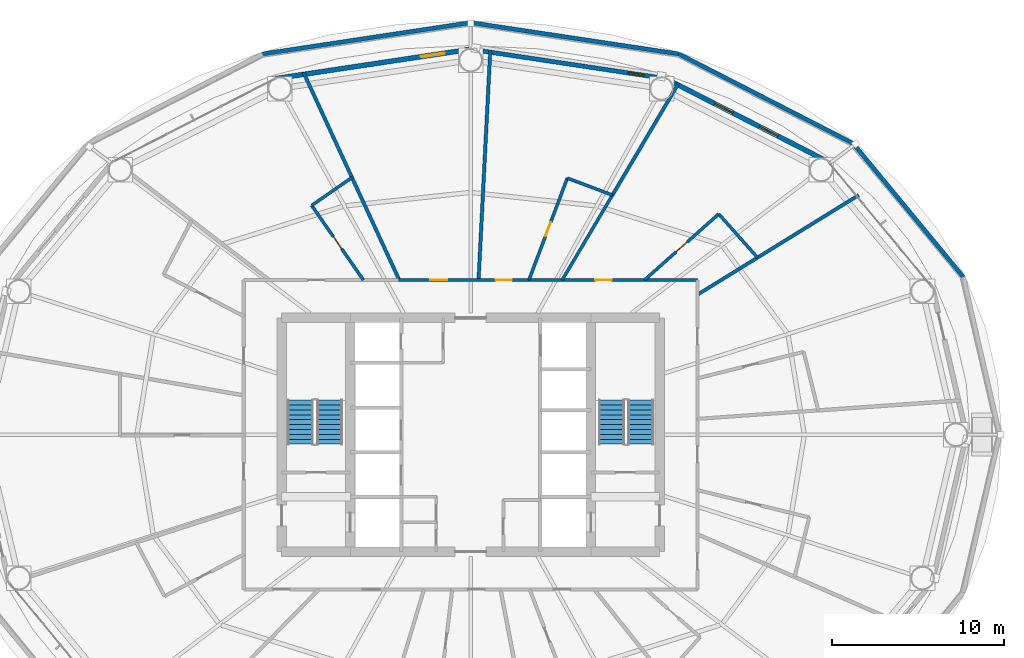
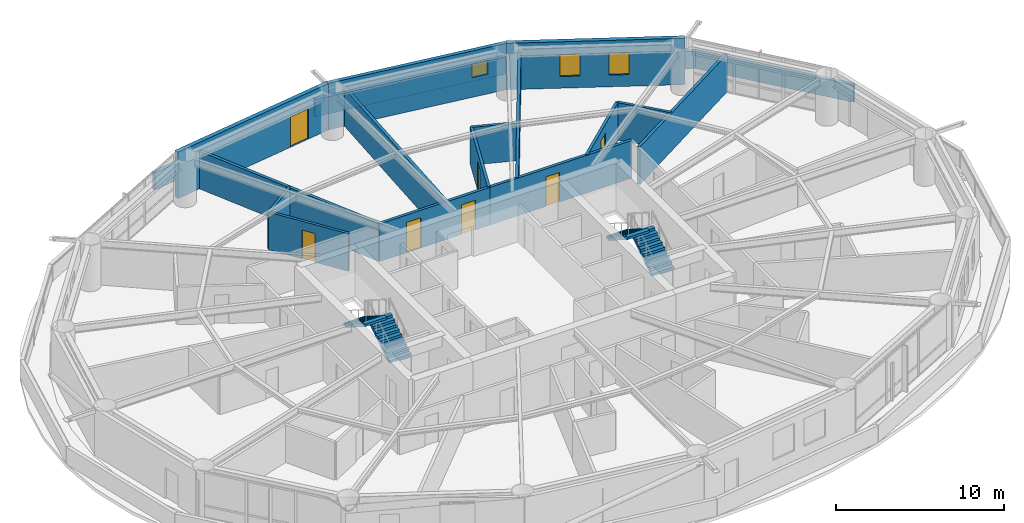
# One storey, part 22 of 25: 20 walls, 7 doors, 4 stair flights, 3 windows, 10 openings, 2 elements without a shape of their own.
"""IFC4 building model written with IfcOpenShell, lengths in metres."""

from ifc_helpers import new_model, si_unit, direction, frame, frame_2d, origin, place, context, subcontext, project, spatial, polyline, rectangle, outline, extrude, material, layer, layer_set, type_object, element, fill, aggregate, save


model = new_model("IFC4")

# Units and contexts
model_context = context("Model", 3, precision=1e-05, world=origin(), true_north=direction((0.0, 1.0)))
body_context = subcontext(model_context, "Body", "Model", "MODEL_VIEW")
ifc_project = project(units=[si_unit("LENGTHUNIT", "METRE"), si_unit("AREAUNIT", "SQUARE_METRE"), si_unit("VOLUMEUNIT", "CUBIC_METRE"), si_unit("PLANEANGLEUNIT", "RADIAN"), si_unit("MASSUNIT", "GRAM", prefix="KILO")], contexts=[model_context])

# Site, building, storey
site_placement = place(None, origin())
site = spatial("IfcSite", under=ifc_project, at=site_placement, CompositionType="ELEMENT")
building_placement = place(site_placement, origin())
building = spatial("IfcBuilding", under=site, at=building_placement, Name="Sarneth Arch Tower", CompositionType="ELEMENT")
storey_placement = place(building_placement, frame((0.0, 0.0, 84.0)))
storey = spatial("IfcBuildingStorey", under=building, at=storey_placement, Name="L20", CompositionType="ELEMENT", Elevation=84.0)

# Wall, opening, door
ifc_material_1 = material(Name="Double steel-stud corridor fire wall", Category="steel")
ifc_layer_1 = layer(ifc_material_1, 0.18994140625)
ifc_layer_set_1 = layer_set([ifc_layer_1], Name="Double steel-stud corridor fire wall")
wall_type_1 = type_object("IfcWallType", Name="WALL-CORR-190", PredefinedType="PARTITIONING", material=ifc_layer_set_1)
wall_1_placement = place(storey_placement, frame((51.35693359375, 51.0, 0.0), z_axis=(0.0, 0.0, 1.0), x_axis=(1.0, 0.0, 0.0)))
wall_1 = element("IfcWall", 1, at=wall_1_placement, inside=storey, type_object=wall_type_1, Name="L20 Interior partition W-L20-TP-003", PredefinedType="PARTITIONING", context=body_context, shape_type="SweptSolid", body=[
    extrude(rectangle(XDim=9.843017578125, YDim=0.18994140625, at=frame_2d((4.92138671875, 0.0))), origin(), (0.0, 0.0, 1.0), 2.739990234375),
])
opening_1_placement = place(wall_1_placement, frame((3.893798828125, 0.0, 0.0)))
opening_1 = element("IfcOpeningElement", 2, at=opening_1_placement, cuts=wall_1, Name="Opening FD-09", PredefinedType="OPENING", context=body_context, shape_type="SweptSolid", body=[
    extrude(rectangle(XDim=0.949951171875, YDim=2.14990234375, at=frame_2d((0.47509765625, 1.074951171875))), frame((0.0, 0.10498046875, 0.0), z_axis=(0.0, -1.0, 0.0), x_axis=(1.0, 0.0, 0.0)), (0.0, 0.0, 1.0), 0.2099609375),
])
ifc_material_2 = material(Name="Hardwood timber hotel entrance fire door", Category="wood")
door_type_1 = type_object("IfcDoorType", Name="DR-FD60-950", OperationType="SINGLE_SWING_RIGHT", PredefinedType="DOOR", material=ifc_material_2)
door_1_placement = place(opening_1_placement, origin())
door_1 = element("IfcDoor", 3, at=door_1_placement, inside=storey, type_object=door_type_1, Name="L20 Interior door DR-L20-KEY-02", OperationType="SINGLE_SWING_LEFT", OverallHeight=2.14990234375, OverallWidth=0.949951171875, PredefinedType="DOOR", context=body_context, shape_type="SweptSolid", body=[
    extrude(rectangle(XDim=0.949951171875, YDim=2.14990234375, at=frame_2d((0.47509765625, 1.074951171875))), frame((0.0, 0.02490234375, 0.0), z_axis=(0.0, -1.0, 0.0), x_axis=(1.0, 0.0, 0.0)), (0.0, 0.0, 1.0), 0.050048828125),
])
fill(opening_1, door_1)

# Wall, openings, doors
wall_2_placement = place(storey_placement, frame((43.81201171875, 51.0, 0.0), z_axis=(0.0, 0.0, 1.0), x_axis=(1.0, 0.0, 0.0)))
wall_2 = element("IfcWall", 4, at=wall_2_placement, inside=storey, type_object=wall_type_1, Name="L20 Interior partition W-L20-TP-008", PredefinedType="PARTITIONING", context=body_context, shape_type="SweptSolid", body=[
    extrude(rectangle(XDim=7.61328125, YDim=0.18994140625, at=frame_2d((3.806640625, 0.0))), origin(), (0.0, 0.0, 1.0), 2.739990234375),
])
opening_2_placement = place(wall_2_placement, frame((1.839599609375, 0.0, 0.0)))
opening_2 = element("IfcOpeningElement", 5, at=opening_2_placement, cuts=wall_2, Name="Opening FD-08", PredefinedType="OPENING", context=body_context, shape_type="SweptSolid", body=[
    extrude(rectangle(XDim=1.0, YDim=2.199951171875, at=frame_2d((0.5, 1.10009765625))), frame((0.0, 0.10498046875, 0.0), z_axis=(0.0, -1.0, 0.0), x_axis=(1.0, 0.0, 0.0)), (0.0, 0.0, 1.0), 0.2099609375),
])
opening_3_placement = place(wall_2_placement, frame((5.639404296875, 0.0, 0.0)))
opening_3 = element("IfcOpeningElement", 6, at=opening_3_placement, cuts=wall_2, Name="Opening FD-09", PredefinedType="OPENING", context=body_context, shape_type="SweptSolid", body=[
    extrude(rectangle(XDim=0.949951171875, YDim=2.14990234375, at=frame_2d((0.47509765625, 1.074951171875))), frame((0.0, 0.10498046875, 0.0), z_axis=(0.0, -1.0, 0.0), x_axis=(1.0, 0.0, 0.0)), (0.0, 0.0, 1.0), 0.2099609375),
])
ifc_material_3 = material(Name="Hardwood timber acoustic fire door", Category="wood")
door_type_2 = type_object("IfcDoorType", Name="DR-FD60-1000", OperationType="SINGLE_SWING_LEFT", PredefinedType="DOOR", material=ifc_material_3)
door_2_placement = place(opening_2_placement, origin())
door_2 = element("IfcDoor", 7, at=door_2_placement, inside=storey, type_object=door_type_2, Name="L20 Interior door DR-L20-AMN-04", OperationType="SINGLE_SWING_RIGHT", OverallHeight=2.199951171875, OverallWidth=1.0, PredefinedType="DOOR", context=body_context, shape_type="SweptSolid", body=[
    extrude(rectangle(XDim=1.0, YDim=2.199951171875, at=frame_2d((0.5, 1.10009765625))), frame((0.0, 0.02490234375, 0.0), z_axis=(0.0, -1.0, 0.0), x_axis=(1.0, 0.0, 0.0)), (0.0, 0.0, 1.0), 0.050048828125),
])
fill(opening_2, door_2)
door_3_placement = place(opening_3_placement, origin())
door_3 = element("IfcDoor", 8, at=door_3_placement, inside=storey, type_object=door_type_1, Name="L20 Interior door DR-L20-KEY-03", OperationType="SINGLE_SWING_RIGHT", OverallHeight=2.14990234375, OverallWidth=0.949951171875, PredefinedType="DOOR", context=body_context, shape_type="SweptSolid", body=[
    extrude(rectangle(XDim=0.949951171875, YDim=2.14990234375, at=frame_2d((0.47509765625, 1.074951171875))), frame((0.0, 0.02490234375, 0.0), z_axis=(0.0, -1.0, 0.0), x_axis=(1.0, 0.0, 0.0)), (0.0, 0.0, 1.0), 0.050048828125),
])
fill(opening_3, door_3)

# Wall, opening, window
ifc_material_4 = material(Name="Extruded terracotta rainscreen on Concrete C40/50 backing", Category="masonry")
ifc_layer_2 = layer(ifc_material_4, 0.25)
ifc_layer_set_2 = layer_set([ifc_layer_2], Name="Extruded terracotta rainscreen on Concrete C40/50 backing")
wall_type_2 = type_object("IfcWallType", Name="WALL-EXT-SPAND-250", PredefinedType="SOLIDWALL", material=ifc_layer_set_2)
wall_3_placement = place(storey_placement, frame((59.351318359375, 62.72265625, 0.0), z_axis=(0.0, 0.0, 1.0), x_axis=(-0.988877774656, 0.148730450117, 0.0)))
wall_3 = element("IfcWall", 9, at=wall_3_placement, inside=storey, type_object=wall_type_2, Name="L20 Terracotta perimeter wall 04", PredefinedType="SOLIDWALL", context=body_context, shape_type="SweptSolid", body=[
    extrude(rectangle(XDim=11.47900390625, YDim=0.25, at=frame_2d((5.739501953125, 0.0))), origin(), (0.0, 0.0, 1.0), 3.3798828125),
])
opening_4_placement = place(wall_3_placement, frame((1.230712890625, 0.0, 1.419921875)))
opening_4 = element("IfcOpeningElement", 10, at=opening_4_placement, cuts=wall_3, Name="Opening W-14", PredefinedType="OPENING", context=body_context, shape_type="SweptSolid", body=[
    extrude(rectangle(XDim=1.0, YDim=1.050048828125, at=frame_2d((0.5, 0.52490234375))), frame((0.0, 0.135009765625, 0.0), z_axis=(0.0, -1.0, 0.0), x_axis=(1.0, 0.0, 0.0)), (0.0, 0.0, 1.0), 0.27001953125),
])
ifc_material_5 = material(Name="Thermally broken Aluminium 6063-T6 and low-e laminated IGU", Category="aluminium")
window_type_1 = type_object("IfcWindowType", Name="WIN-TWR-1000x1050", PartitioningType="SINGLE_PANEL", PredefinedType="WINDOW", material=ifc_material_5)
window_1_placement = place(opening_4_placement, origin())
window_1 = element("IfcWindow", 11, at=window_1_placement, inside=storey, type_object=window_type_1, Name="L20 Dwelling bedroom window 01", OverallHeight=1.050048828125, OverallWidth=1.0, PartitioningType="SINGLE_PANEL", PredefinedType="WINDOW", context=body_context, shape_type="SweptSolid", body=[
    extrude(rectangle(XDim=1.0, YDim=1.050048828125, at=frame_2d((0.5, 0.52490234375))), frame((0.0, 0.030029296875, 0.0), z_axis=(0.0, -1.0, 0.0), x_axis=(1.0, 0.0, 0.0)), (0.0, 0.0, 1.0), 0.06005859375),
])
fill(opening_4, window_1)

# Wall, openings, windows
ifc_material_6 = material(Name="Extruded terracotta rainscreen on Concrete C40/50 backing", Category="masonry")
ifc_layer_3 = layer(ifc_material_6, 0.280029296875)
ifc_layer_set_3 = layer_set([ifc_layer_3], Name="Extruded terracotta rainscreen on Concrete C40/50 backing")
wall_type_3 = type_object("IfcWallType", Name="WALL-EXT-TERRA-280", PredefinedType="SOLIDWALL", material=ifc_layer_set_3)
wall_4_placement = place(storey_placement, frame((68.840087890625, 57.8603515625, 0.0), z_axis=(0.0, 0.0, 1.0), x_axis=(-0.889959505023, 0.45603955905, 0.0)))
wall_4 = element("IfcWall", 12, at=wall_4_placement, inside=storey, type_object=wall_type_3, Name="L20 Terracotta perimeter wall 03", PredefinedType="SOLIDWALL", context=body_context, shape_type="SweptSolid", body=[
    extrude(rectangle(XDim=10.662109375, YDim=0.280029296875, at=frame_2d((5.3310546875, 0.0))), origin(), (0.0, 0.0, 1.0), 3.3798828125),
])
opening_5_placement = place(wall_4_placement, frame((3.330810546875, 0.0, 0.85009765625)))
opening_5 = element("IfcOpeningElement", 13, at=opening_5_placement, cuts=wall_4, Name="Opening W-10", PredefinedType="OPENING", context=body_context, shape_type="SweptSolid", body=[
    extrude(rectangle(XDim=1.199951171875, YDim=1.60009765625, at=frame_2d((0.60009765625, 0.800048828125))), frame((0.0, 0.14990234375, 0.0), z_axis=(0.0, -1.0, 0.0), x_axis=(1.0, 0.0, 0.0)), (0.0, 0.0, 1.0), 0.300048828125),
])
opening_6_placement = place(wall_4_placement, frame((6.270751953125, 0.0, 0.85009765625)))
opening_6 = element("IfcOpeningElement", 14, at=opening_6_placement, cuts=wall_4, Name="Opening W-10", PredefinedType="OPENING", context=body_context, shape_type="SweptSolid", body=[
    extrude(rectangle(XDim=1.199951171875, YDim=1.60009765625, at=frame_2d((0.60009765625, 0.800048828125))), frame((0.0, 0.14990234375, 0.0), z_axis=(0.0, -1.0, 0.0), x_axis=(1.0, 0.0, 0.0)), (0.0, 0.0, 1.0), 0.300048828125),
])
ifc_material_7 = material(Name="Thermally broken Aluminium 6063-T6 and low-e laminated IGU", Category="aluminium")
window_type_2 = type_object("IfcWindowType", Name="WIN-TWR-1200x1600", PartitioningType="SINGLE_PANEL", PredefinedType="WINDOW", material=ifc_material_7)
window_2_placement = place(opening_5_placement, origin())
window_2 = element("IfcWindow", 15, at=window_2_placement, inside=storey, type_object=window_type_2, Name="L20 Exterior window 03A", OverallHeight=1.60009765625, OverallWidth=1.199951171875, PartitioningType="SINGLE_PANEL", PredefinedType="WINDOW", context=body_context, shape_type="SweptSolid", body=[
    extrude(rectangle(XDim=1.199951171875, YDim=1.60009765625, at=frame_2d((0.60009765625, 0.800048828125))), frame((0.0, 0.030029296875, 0.0), z_axis=(0.0, -1.0, 0.0), x_axis=(1.0, 0.0, 0.0)), (0.0, 0.0, 1.0), 0.06005859375),
])
fill(opening_5, window_2)
window_3_placement = place(opening_6_placement, origin())
window_3 = element("IfcWindow", 16, at=window_3_placement, inside=storey, type_object=window_type_2, Name="L20 Exterior window 03B", OverallHeight=1.60009765625, OverallWidth=1.199951171875, PartitioningType="SINGLE_PANEL", PredefinedType="WINDOW", context=body_context, shape_type="SweptSolid", body=[
    extrude(rectangle(XDim=1.199951171875, YDim=1.60009765625, at=frame_2d((0.60009765625, 0.800048828125))), frame((0.0, 0.030029296875, 0.0), z_axis=(0.0, -1.0, 0.0), x_axis=(1.0, 0.0, 0.0)), (0.0, 0.0, 1.0), 0.06005859375),
])
fill(opening_6, window_3)

# Wall, opening, door
wall_5_placement = place(storey_placement, frame((48.0, 64.429931640625, 0.0), z_axis=(0.0, 0.0, 1.0), x_axis=(-0.988877774656, -0.148730450117, 0.0)))
wall_5 = element("IfcWall", 17, at=wall_5_placement, inside=storey, type_object=wall_type_3, Name="L20 Terracotta perimeter wall 05", PredefinedType="SOLIDWALL", context=body_context, shape_type="SweptSolid", body=[
    extrude(rectangle(XDim=11.47900390625, YDim=0.280029296875, at=frame_2d((5.739501953125, 0.0))), origin(), (0.0, 0.0, 1.0), 3.3798828125),
])
opening_7_placement = place(wall_5_placement, frame((1.523681640625, 0.0, 0.0)))
opening_7 = element("IfcOpeningElement", 18, at=opening_7_placement, cuts=wall_5, Name="Opening BD-2", PredefinedType="OPENING", context=body_context, shape_type="SweptSolid", body=[
    extrude(rectangle(XDim=1.39990234375, YDim=2.199951171875, at=frame_2d((0.699951171875, 1.10009765625))), frame((0.0, 0.14990234375, 0.0), z_axis=(0.0, -1.0, 0.0), x_axis=(1.0, 0.0, 0.0)), (0.0, 0.0, 1.0), 0.300048828125),
])
ifc_material_8 = material(Name="Thermally broken Aluminium 6063-T6 and laminated safety glass", Category="aluminium")
door_type_3 = type_object("IfcDoorType", Name="DR-BALC-GLZ-1400", OperationType="SINGLE_SWING_LEFT", PredefinedType="DOOR", material=ifc_material_8)
door_4_placement = place(opening_7_placement, origin())
door_4 = element("IfcDoor", 19, at=door_4_placement, inside=storey, type_object=door_type_3, Name="L20 Maintenance roof access door 05", OperationType="SINGLE_SWING_LEFT", OverallHeight=2.199951171875, OverallWidth=1.39990234375, PredefinedType="DOOR", context=body_context, shape_type="SweptSolid", body=[
    extrude(rectangle(XDim=1.39990234375, YDim=2.199951171875, at=frame_2d((0.699951171875, 1.10009765625))), frame((0.0, 0.02490234375, 0.0), z_axis=(0.0, -1.0, 0.0), x_axis=(1.0, 0.0, 0.0)), (0.0, 0.0, 1.0), 0.050048828125),
])
fill(opening_7, door_4)

# Walls
ifc_material_9 = material(Name="Extruded terracotta rainscreen on Concrete C40/50 backing", Category="masonry")
ifc_layer_4 = layer(ifc_material_9, 0.239990234375)
ifc_layer_set_4 = layer_set([ifc_layer_4], Name="Extruded terracotta rainscreen on Concrete C40/50 backing")
wall_type_4 = type_object("IfcWallType", Name="WALL-PARAPET-240", PredefinedType="PARAPET", material=ifc_layer_set_4)
wall_6_placement = place(storey_placement, frame((76.67138671875, 51.1767578125, 0.0), z_axis=(0.0, 0.0, 1.0), x_axis=(-0.636906456166, 0.770941091196, 0.0)))
element("IfcWall", 20, at=wall_6_placement, inside=storey, type_object=wall_type_4, Name="L20 Setback roof parapet 02", PredefinedType="PARAPET", context=body_context, shape_type="SweptSolid", body=[
    extrude(rectangle(XDim=10.091064453125, YDim=0.239990234375, at=frame_2d((5.04541015625, 0.0))), origin(), (0.0, 0.0, 1.0), 1.25),
])
wall_7_placement = place(storey_placement, frame((70.244384765625, 58.956298828125, 0.0), z_axis=(0.0, 0.0, 1.0), x_axis=(-0.889663800129, 0.456616165658, 0.0)))
element("IfcWall", 21, at=wall_7_placement, inside=storey, type_object=wall_type_4, Name="L20 Setback roof parapet 03", PredefinedType="PARAPET", context=body_context, shape_type="SweptSolid", body=[
    extrude(rectangle(XDim=11.38427734375, YDim=0.239990234375, at=frame_2d((5.692138671875, 0.0))), origin(), (0.0, 0.0, 1.0), 1.25),
])
for number, where, z_axis, x_axis, name in (
    (22, (60.1162109375, 64.154541015625, 0.0), (0.0, 0.0, 1.0), (-0.988840272251, 0.148979582406, 0.0), "L20 Setback roof parapet 04"),
    (23, (48.0, 65.97998046875, 0.0), (0.0, 0.0, 1.0), (-0.988840272251, -0.148979582406, 0.0), "L20 Setback roof parapet 05"),
):
    element("IfcWall", number, at=place(storey_placement, frame(where, z_axis=z_axis, x_axis=x_axis)), inside=storey, type_object=wall_type_4, Name=name, PredefinedType="PARAPET", context=body_context, shape_type="SweptSolid", body=[
        extrude(rectangle(XDim=12.2529296875, YDim=0.239990234375, at=frame_2d((6.12646484375, 0.0))), origin(), (0.0, 0.0, 1.0), 1.25),
    ])

# Wall, opening, door
ifc_material_10 = material(Name="Moisture-resistant plumbing chase wall", Category="gypsum")
ifc_layer_5 = layer(ifc_material_10, 0.179931640625)
ifc_layer_set_5 = layer_set([ifc_layer_5], Name="Moisture-resistant plumbing chase wall")
wall_type_5 = type_object("IfcWallType", Name="WALL-PLUMB-180", PredefinedType="PLUMBINGWALL", material=ifc_layer_set_5)
wall_8_placement = place(storey_placement, frame((51.39111328125, 51.0, 0.0), z_axis=(0.0, 0.0, 1.0), x_axis=(0.352583810303, 0.935780239539, 0.0)))
wall_8 = element("IfcWall", 24, at=wall_8_placement, inside=storey, type_object=wall_type_5, Name="L20 Interior partition W-L20-TP-039", PredefinedType="PLUMBINGWALL", context=body_context, shape_type="SweptSolid", body=[
    extrude(rectangle(XDim=6.337158203125, YDim=0.179931640625, at=frame_2d((3.16845703125, 0.0))), origin(), (0.0, 0.0, 1.0), 2.739990234375),
])
opening_8_placement = place(wall_8_placement, frame((2.74365234375, 0.0, 0.0)))
opening_8 = element("IfcOpeningElement", 25, at=opening_8_placement, cuts=wall_8, Name="Opening ID-02", PredefinedType="OPENING", context=body_context, shape_type="SweptSolid", body=[
    extrude(rectangle(XDim=0.85009765625, YDim=2.10009765625, at=frame_2d((0.425048828125, 1.050048828125))), frame((0.0, 0.099853515625, 0.0), z_axis=(0.0, -1.0, 0.0), x_axis=(1.0, 0.0, 0.0)), (0.0, 0.0, 1.0), 0.199951171875),
])
ifc_material_11 = material(Name="Moisture-resistant bathroom timber door", Category="wood")
door_type_4 = type_object("IfcDoorType", Name="DR-INT-850", OperationType="SINGLE_SWING_RIGHT", PredefinedType="DOOR", material=ifc_material_11)
door_5_placement = place(opening_8_placement, origin())
door_5 = element("IfcDoor", 26, at=door_5_placement, inside=storey, type_object=door_type_4, Name="L20 Interior door DR-L20-ENS-03", OperationType="SINGLE_SWING_LEFT", OverallHeight=2.10009765625, OverallWidth=0.85009765625, PredefinedType="DOOR", context=body_context, shape_type="SweptSolid", body=[
    extrude(rectangle(XDim=0.85009765625, YDim=2.10009765625, at=frame_2d((0.425048828125, 1.050048828125))), frame((0.0, 0.02490234375, 0.0), z_axis=(0.0, -1.0, 0.0), x_axis=(1.0, 0.0, 0.0)), (0.0, 0.0, 1.0), 0.050048828125),
])
fill(opening_8, door_5)

wall_9_placement = place(storey_placement, frame((62.435791015625, 54.844482421875, 0.0), z_axis=(0.0, 0.0, 1.0), x_axis=(-0.747085499985, -0.664727956168, 0.0)))
wall_9 = element("IfcWall", 27, at=wall_9_placement, inside=storey, type_object=wall_type_5, Name="L20 Interior partition W-L20-TP-036", PredefinedType="PLUMBINGWALL", context=body_context, shape_type="SweptSolid", body=[
    extrude(rectangle(XDim=5.783447265625, YDim=0.179931640625, at=frame_2d((2.8916015625, 0.0))), origin(), (0.0, 0.0, 1.0), 2.739990234375),
])
opening_9_placement = place(wall_9_placement, frame((2.466796875, 0.0, 0.0)))
opening_9 = element("IfcOpeningElement", 28, at=opening_9_placement, cuts=wall_9, Name="Opening ID-02", PredefinedType="OPENING", context=body_context, shape_type="SweptSolid", body=[
    extrude(rectangle(XDim=0.85009765625, YDim=2.10009765625, at=frame_2d((0.425048828125, 1.050048828125))), frame((0.0, 0.099853515625, 0.0), z_axis=(0.0, -1.0, 0.0), x_axis=(1.0, 0.0, 0.0)), (0.0, 0.0, 1.0), 0.199951171875),
])
door_6_placement = place(opening_9_placement, origin())
door_6 = element("IfcDoor", 29, at=door_6_placement, inside=storey, type_object=door_type_4, Name="L20 Interior door DR-L20-ENS-02", OperationType="SINGLE_SWING_LEFT", OverallHeight=2.10009765625, OverallWidth=0.85009765625, PredefinedType="DOOR", context=body_context, shape_type="SweptSolid", body=[
    extrude(rectangle(XDim=0.85009765625, YDim=2.10009765625, at=frame_2d((0.425048828125, 1.050048828125))), frame((0.0, 0.02490234375, 0.0), z_axis=(0.0, -1.0, 0.0), x_axis=(1.0, 0.0, 0.0)), (0.0, 0.0, 1.0), 0.050048828125),
])
fill(opening_9, door_6)

# Wall
wall_10_placement = place(storey_placement, frame((56.25, 55.94140625, 0.0), z_axis=(0.0, 0.0, 1.0), x_axis=(-0.509296473297, -0.860591135376, 0.0)))
element("IfcWall", 30, at=wall_10_placement, inside=storey, type_object=wall_type_5, Name="L20 Interior partition W-L20-TP-038", PredefinedType="PLUMBINGWALL", context=body_context, shape_type="SweptSolid", body=[
    extrude(rectangle(XDim=5.741943359375, YDim=0.179931640625, at=frame_2d((2.87109375, 0.0))), origin(), (0.0, 0.0, 1.0), 2.739990234375),
])

# Wall, opening, door
wall_11_placement = place(storey_placement, frame((38.75, 55.339599609375, 0.0), z_axis=(0.0, 0.0, 1.0), x_axis=(0.569842064311, -0.821754234393, 0.0)))
wall_11 = element("IfcWall", 31, at=wall_11_placement, inside=storey, type_object=wall_type_5, Name="L20 Interior partition W-L20-TP-045", PredefinedType="PLUMBINGWALL", context=body_context, shape_type="SweptSolid", body=[
    extrude(rectangle(XDim=5.281005859375, YDim=0.179931640625, at=frame_2d((2.640625, 0.0))), origin(), (0.0, 0.0, 1.0), 2.739990234375),
])
opening_10_placement = place(wall_11_placement, frame((2.21533203125, 0.0, 0.0)))
opening_10 = element("IfcOpeningElement", 32, at=opening_10_placement, cuts=wall_11, Name="Opening ID-02", PredefinedType="OPENING", context=body_context, shape_type="SweptSolid", body=[
    extrude(rectangle(XDim=0.85009765625, YDim=2.10009765625, at=frame_2d((0.425048828125, 1.050048828125))), frame((0.0, 0.099853515625, 0.0), z_axis=(0.0, -1.0, 0.0), x_axis=(1.0, 0.0, 0.0)), (0.0, 0.0, 1.0), 0.199951171875),
])
door_7_placement = place(opening_10_placement, origin())
door_7 = element("IfcDoor", 33, at=door_7_placement, inside=storey, type_object=door_type_4, Name="L20 Interior door DR-L20-ENS-05", OperationType="SINGLE_SWING_RIGHT", OverallHeight=2.10009765625, OverallWidth=0.85009765625, PredefinedType="DOOR", context=body_context, shape_type="SweptSolid", body=[
    extrude(rectangle(XDim=0.85009765625, YDim=2.10009765625, at=frame_2d((0.425048828125, 1.050048828125))), frame((0.0, 0.02490234375, 0.0), z_axis=(0.0, -1.0, 0.0), x_axis=(1.0, 0.0, 0.0)), (0.0, 0.0, 1.0), 0.050048828125),
])
fill(opening_10, door_7)

# Walls
wall_12_placement = place(storey_placement, frame((64.693603515625, 52.306884765625, 0.0), z_axis=(0.0, 0.0, 1.0), x_axis=(-0.664720670732, 0.747091982222, 0.0)))
element("IfcWall", 34, at=wall_12_placement, inside=storey, type_object=wall_type_5, Name="L20 Interior partition W-L20-TP-035", PredefinedType="PLUMBINGWALL", context=body_context, shape_type="SweptSolid", body=[
    extrude(rectangle(XDim=3.396728515625, YDim=0.179931640625, at=frame_2d((1.6982421875, 0.0))), origin(), (0.0, 0.0, 1.0), 2.739990234375),
])
wall_13_placement = place(storey_placement, frame((41.0947265625, 56.96533203125, 0.0), z_axis=(0.0, 0.0, 1.0), x_axis=(-0.821788449593, -0.569792720308, 0.0)))
element("IfcWall", 35, at=wall_13_placement, inside=storey, type_object=wall_type_5, Name="L20 Interior partition W-L20-TP-044", PredefinedType="PLUMBINGWALL", context=body_context, shape_type="SweptSolid", body=[
    extrude(rectangle(XDim=2.853271484375, YDim=0.179931640625, at=frame_2d((1.4267578125, 0.0))), origin(), (0.0, 0.0, 1.0), 2.739990234375),
])
wall_14_placement = place(storey_placement, frame((53.62548828125, 56.93017578125, 0.0), z_axis=(0.0, 0.0, 1.0), x_axis=(0.93579147225, -0.352553996522, 0.0)))
element("IfcWall", 36, at=wall_14_placement, inside=storey, type_object=wall_type_5, Name="L20 Interior partition W-L20-TP-040", PredefinedType="PLUMBINGWALL", context=body_context, shape_type="SweptSolid", body=[
    extrude(rectangle(XDim=2.8046875, YDim=0.179931640625, at=frame_2d((1.40234375, 0.0))), origin(), (0.0, 0.0, 1.0), 2.739990234375),
])
ifc_material_12 = material(Name="Double steel-stud acoustic drywall", Category="steel")
ifc_layer_6 = layer(ifc_material_12, 0.199951171875)
ifc_layer_set_6 = layer_set([ifc_layer_6], Name="Double steel-stud acoustic drywall")
wall_type_6 = type_object("IfcWallType", Name="WALL-UNIT-200", PredefinedType="PARTITIONING", material=ifc_layer_set_6)
wall_15_placement = place(storey_placement, frame((49.142578125, 64.37890625, 0.0), z_axis=(0.0, 0.0, 1.0), x_axis=(-0.050973793346, -0.998699991185, 0.0)))
element("IfcWall", 37, at=wall_15_placement, inside=storey, type_object=wall_type_6, Name="L20 Interior partition W-L20-TP-041", PredefinedType="PARTITIONING", context=body_context, shape_type="SweptSolid", body=[
    extrude(rectangle(XDim=13.396240234375, YDim=0.199951171875, at=frame_2d((6.6982421875, 0.0))), origin(), (0.0, 0.0, 1.0), 2.739990234375),
])
wall_16_placement = place(storey_placement, frame((60.11181640625, 62.467529296875, 0.0), z_axis=(0.0, 0.0, 1.0), x_axis=(-0.509263960295, -0.860610375689, 0.0)))
element("IfcWall", 38, at=wall_16_placement, inside=storey, type_object=wall_type_6, Name="L20 Interior partition W-L20-TP-037", PredefinedType="PARTITIONING", context=body_context, shape_type="SweptSolid", body=[
    extrude(rectangle(XDim=7.583251953125, YDim=0.199951171875, at=frame_2d((3.79150390625, 0.0))), origin(), (0.0, 0.0, 1.0), 2.739990234375),
])
wall_17_placement = place(storey_placement, frame((61.199951171875, 50.14990234375, 0.0), z_axis=(0.0, 0.0, 1.0), x_axis=(0.850874276333, 0.525369361377, 0.0)))
element("IfcWall", 39, at=wall_17_placement, inside=storey, type_object=wall_type_6, Name="L20 Interior partition W-L20-TP-031", PredefinedType="PARTITIONING", context=body_context, shape_type="SweptSolid", body=[
    extrude(rectangle(XDim=11.025634765625, YDim=0.199951171875, at=frame_2d((5.5126953125, 0.0))), origin(), (0.0, 0.0, 1.0), 2.739990234375),
])
wall_18_placement = place(storey_placement, frame((43.84716796875, 51.0, 0.0), z_axis=(0.0, 0.0, 1.0), x_axis=(-0.418953467184, 0.908007704997, 0.0)))
element("IfcWall", 40, at=wall_18_placement, inside=storey, type_object=wall_type_6, Name="L20 Interior partition W-L20-TP-042", PredefinedType="PARTITIONING", context=body_context, shape_type="SweptSolid", body=[
    extrude(rectangle(XDim=13.307373046875, YDim=0.199951171875, at=frame_2d((6.65380859375, 0.0))), origin(), (0.0, 0.0, 1.0), 2.739990234375),
])

# Stair, stair flights
ifc_material_13 = material(Name="Concrete C50/60", Category="concrete")
stair_type = type_object("IfcStairType", Name="STAIR-CORE-RC", PredefinedType="HALF_TURN_STAIR", material=ifc_material_13)
stair_1_placement = place(storey_placement, origin())
stair_1 = element("IfcStair", 41, at=stair_1_placement, inside=storey, type_object=stair_type, Name="L20 Core Exit Stair 1", PredefinedType="HALF_TURN_STAIR")
ifc_material_14 = material(Name="Concrete C50/60", Category="concrete")
stair_flight_type = type_object("IfcStairFlightType", Name="FLIGHT-RC-1500", PredefinedType="STRAIGHT", material=ifc_material_14)
stair_flight_1_placement = place(storey_placement, frame((39.800048828125, 41.449951171875, 0.0), z_axis=(0.0, 0.0, 1.0), x_axis=(0.0, 1.0, 0.0)))
stair_flight_1 = element("IfcStairFlight", 42, at=stair_flight_1_placement, type_object=stair_flight_type, Name="ST-1 flight 1", NumberOfRisers=10, NumberOfTreads=9, PredefinedType="STRAIGHT", RiserHeight=0.18, TreadLength=0.285, context=body_context, shape_type="SweptSolid", body=[
    extrude(outline(polyline([(0.0, 0.0), (0.0, 0.179931640625), (0.284912109375, 0.179931640625), (0.284912109375, 0.360107421875), (0.570068359375, 0.360107421875), (0.570068359375, 0.5400390625), (0.85498046875, 0.5400390625), (0.85498046875, 0.719970703125), (1.139892578125, 0.719970703125), (1.139892578125, 0.89990234375), (1.425048828125, 0.89990234375), (1.425048828125, 1.080078125), (1.7099609375, 1.080078125), (1.7099609375, 1.260009765625), (1.9951171875, 1.260009765625), (1.9951171875, 1.43994140625), (2.280029296875, 1.43994140625), (2.280029296875, 1.6201171875), (2.56494140625, 1.6201171875), (2.56494140625, 1.800048828125), (2.56494140625, 1.442626953125), (0.28076171875, 0.0), (0.0, 0.0)])), frame((0.0, 0.75, 0.0), z_axis=(0.0, -1.0, 0.0), x_axis=(1.0, 0.0, 0.0)), (0.0, 0.0, 1.0), 1.5),
])
stair_flight_2_placement = place(storey_placement, frame((38.10009765625, 44.014892578125, 1.800048828125), z_axis=(0.0, 0.0, 1.0), x_axis=(0.0, -1.0, 0.0)))
stair_flight_2 = element("IfcStairFlight", 43, at=stair_flight_2_placement, type_object=stair_flight_type, Name="ST-1 flight 2", NumberOfRisers=10, NumberOfTreads=9, PredefinedType="STRAIGHT", RiserHeight=0.18, TreadLength=0.285, context=body_context, shape_type="SweptSolid", body=[
    extrude(outline(polyline([(0.0, 0.0), (0.0, 0.179931640625), (0.284912109375, 0.179931640625), (0.284912109375, 0.360107421875), (0.570068359375, 0.360107421875), (0.570068359375, 0.5400390625), (0.85498046875, 0.5400390625), (0.85498046875, 0.719970703125), (1.139892578125, 0.719970703125), (1.139892578125, 0.89990234375), (1.425048828125, 0.89990234375), (1.425048828125, 1.080078125), (1.7099609375, 1.080078125), (1.7099609375, 1.260009765625), (1.9951171875, 1.260009765625), (1.9951171875, 1.43994140625), (2.280029296875, 1.43994140625), (2.280029296875, 1.6201171875), (2.56494140625, 1.6201171875), (2.56494140625, 1.800048828125), (2.56494140625, 1.442626953125), (0.28076171875, 0.0), (0.0, 0.0)])), frame((0.0, 0.75, 0.0), z_axis=(0.0, -1.0, 0.0), x_axis=(1.0, 0.0, 0.0)), (0.0, 0.0, 1.0), 1.5),
])
aggregate(stair_1, [stair_flight_1, stair_flight_2])

stair_2_placement = place(storey_placement, origin())
stair_2 = element("IfcStair", 44, at=stair_2_placement, inside=storey, type_object=stair_type, Name="L20 Core Exit Stair 2", PredefinedType="HALF_TURN_STAIR")
stair_flight_3_placement = place(storey_placement, frame((57.89990234375, 41.449951171875, 0.0), z_axis=(0.0, 0.0, 1.0), x_axis=(0.0, 1.0, 0.0)))
stair_flight_3 = element("IfcStairFlight", 45, at=stair_flight_3_placement, type_object=stair_flight_type, Name="ST-2 flight 1", NumberOfRisers=10, NumberOfTreads=9, PredefinedType="STRAIGHT", RiserHeight=0.18, TreadLength=0.285, context=body_context, shape_type="SweptSolid", body=[
    extrude(outline(polyline([(0.0, 0.0), (0.0, 0.179931640625), (0.284912109375, 0.179931640625), (0.284912109375, 0.360107421875), (0.570068359375, 0.360107421875), (0.570068359375, 0.5400390625), (0.85498046875, 0.5400390625), (0.85498046875, 0.719970703125), (1.139892578125, 0.719970703125), (1.139892578125, 0.89990234375), (1.425048828125, 0.89990234375), (1.425048828125, 1.080078125), (1.7099609375, 1.080078125), (1.7099609375, 1.260009765625), (1.9951171875, 1.260009765625), (1.9951171875, 1.43994140625), (2.280029296875, 1.43994140625), (2.280029296875, 1.6201171875), (2.56494140625, 1.6201171875), (2.56494140625, 1.800048828125), (2.56494140625, 1.442626953125), (0.28076171875, 0.0), (0.0, 0.0)])), frame((0.0, 0.75, 0.0), z_axis=(0.0, -1.0, 0.0), x_axis=(1.0, 0.0, 0.0)), (0.0, 0.0, 1.0), 1.5),
])
stair_flight_4_placement = place(storey_placement, frame((56.199951171875, 44.014892578125, 1.800048828125), z_axis=(0.0, 0.0, 1.0), x_axis=(0.0, -1.0, 0.0)))
stair_flight_4 = element("IfcStairFlight", 46, at=stair_flight_4_placement, type_object=stair_flight_type, Name="ST-2 flight 2", NumberOfRisers=10, NumberOfTreads=9, PredefinedType="STRAIGHT", RiserHeight=0.18, TreadLength=0.285, context=body_context, shape_type="SweptSolid", body=[
    extrude(outline(polyline([(0.0, 0.0), (0.0, 0.179931640625), (0.284912109375, 0.179931640625), (0.284912109375, 0.360107421875), (0.570068359375, 0.360107421875), (0.570068359375, 0.5400390625), (0.85498046875, 0.5400390625), (0.85498046875, 0.719970703125), (1.139892578125, 0.719970703125), (1.139892578125, 0.89990234375), (1.425048828125, 0.89990234375), (1.425048828125, 1.080078125), (1.7099609375, 1.080078125), (1.7099609375, 1.260009765625), (1.9951171875, 1.260009765625), (1.9951171875, 1.43994140625), (2.280029296875, 1.43994140625), (2.280029296875, 1.6201171875), (2.56494140625, 1.6201171875), (2.56494140625, 1.800048828125), (2.56494140625, 1.442626953125), (0.28076171875, 0.0), (0.0, 0.0)])), frame((0.0, 0.75, 0.0), z_axis=(0.0, -1.0, 0.0), x_axis=(1.0, 0.0, 0.0)), (0.0, 0.0, 1.0), 1.5),
])
aggregate(stair_2, [stair_flight_3, stair_flight_4])

save(model, "model.ifc")
